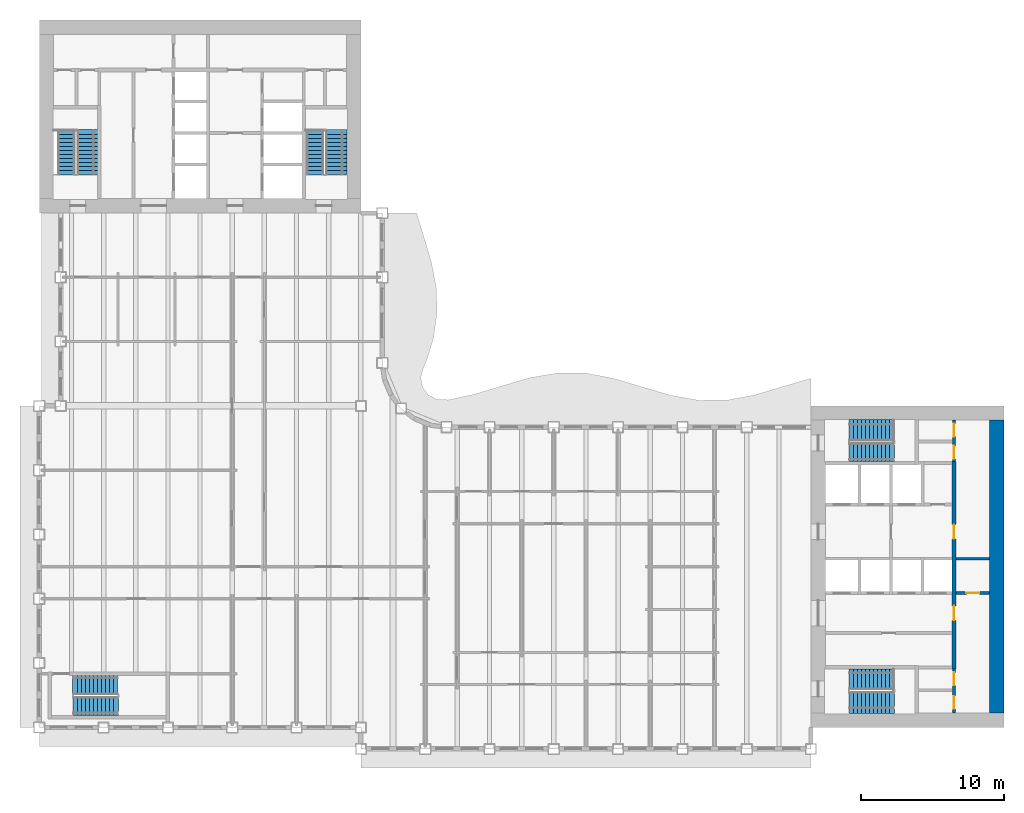
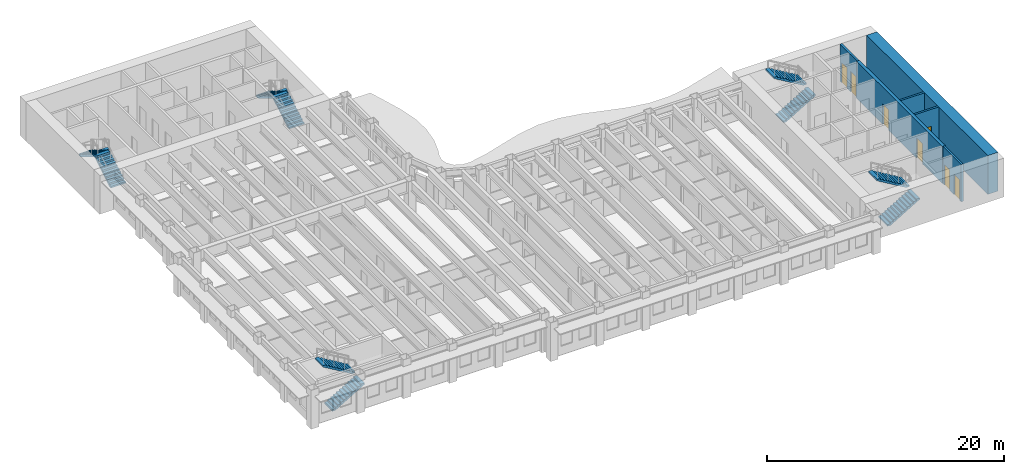
# One storey, part 10 of 16: 10 stair flights, 7 doors, 6 walls, 7 openings, 5 elements without a shape of their own.
"""IFC4 building model written with IfcOpenShell, lengths in metres."""

from ifc_helpers import new_model, si_unit, direction, frame, frame_2d, origin, place, context, subcontext, project, spatial, polyline, rectangle, outline, extrude, material, layer, layer_set, type_object, element, fill, aggregate, save


model = new_model("IFC4")

# Units and contexts
model_context = context("Model", 3, precision=1e-05, world=origin(), true_north=direction((0.0, 1.0)))
body_context = subcontext(model_context, "Body", "Model", "MODEL_VIEW")
ifc_project = project(units=[si_unit("LENGTHUNIT", "METRE"), si_unit("AREAUNIT", "SQUARE_METRE"), si_unit("VOLUMEUNIT", "CUBIC_METRE"), si_unit("PLANEANGLEUNIT", "RADIAN"), si_unit("MASSUNIT", "GRAM", prefix="KILO")], contexts=[model_context])

# Site, building, storey
site_placement = place(None, origin())
site = spatial("IfcSite", under=ifc_project, at=site_placement, CompositionType="ELEMENT")
building_placement = place(site_placement, origin())
building = spatial("IfcBuilding", under=site, at=building_placement, Name="Sennacour Bend Tower", CompositionType="ELEMENT")
storey_placement = place(building_placement, frame((0.0, 0.0, 227.0)))
storey = spatial("IfcBuildingStorey", under=building, at=storey_placement, Name="L52", CompositionType="ELEMENT", Elevation=227.0)

# Wall
ifc_material_1 = material(Name="Concrete C60/75", Category="concrete")
ifc_layer_1 = layer(ifc_material_1, 1.0, Name="Concrete C60/75", Category="concrete")
ifc_layer_set_1 = layer_set([ifc_layer_1], Name="Concrete C60/75")
wall_type_1 = type_object("IfcWallType", Name="Core wall 1000 C60/75", PredefinedType="SHEAR", material=ifc_layer_set_1)
wall_1_placement = place(storey_placement, frame((67.0, 1.0, -0.14990234375), z_axis=(0.0, 0.0, 1.0), x_axis=(0.0, 1.0, 0.0)))
element("IfcWall", 1, at=wall_1_placement, inside=storey, type_object=wall_type_1, Name="Core A wall L52 E", PredefinedType="SHEAR", context=body_context, shape_type="SweptSolid", body=[
    extrude(rectangle(XDim=20.5, YDim=1.0, at=frame_2d((10.25, 0.0))), origin(), (0.0, 0.0, 1.0), 4.0),
])

# Wall, openings, doors
ifc_material_2 = material(Name="Fire-rated plasterboard partition on steel studs", Category="steel")
ifc_layer_2 = layer(ifc_material_2, 0.199951171875, Name="Fire-rated plasterboard partition on steel studs", Category="steel")
ifc_layer_set_2 = layer_set([ifc_layer_2], Name="Fire-rated plasterboard partition on steel studs")
wall_type_2 = type_object("IfcWallType", Name="Rated partition 200", PredefinedType="PARTITIONING", material=ifc_layer_set_2)
wall_2_placement = place(storey_placement, frame((64.0, 1.0, 0.0), z_axis=(0.0, 0.0, 1.0), x_axis=(0.0, 1.0, 0.0)))
wall_2 = element("IfcWall", 2, at=wall_2_placement, inside=storey, type_object=wall_type_2, Name="P-L52-W047", PredefinedType="PARTITIONING", context=body_context, shape_type="SweptSolid", body=[
    extrude(rectangle(XDim=3.10009765625, YDim=0.199951171875, at=frame_2d((1.550048828125, 0.0))), origin(), (0.0, 0.0, 1.0), 3.85009765625),
])
opening_1_placement = place(wall_2_placement, frame((0.300048828125, 0.0, 0.0)))
opening_1 = element("IfcOpeningElement", 3, at=opening_1_placement, cuts=wall_2, Name="Opening SV", PredefinedType="OPENING", context=body_context, shape_type="SweptSolid", body=[
    extrude(rectangle(XDim=0.89990234375, YDim=2.10009765625, at=frame_2d((0.449951171875, 1.050048828125))), frame((0.0, 0.10986328125, 0.0), z_axis=(0.0, -1.0, 0.0), x_axis=(1.0, 0.0, 0.0)), (0.0, 0.0, 1.0), 0.219970703125),
])
opening_2_placement = place(wall_2_placement, frame((1.949951171875, 0.0, 0.0)))
opening_2 = element("IfcOpeningElement", 4, at=opening_2_placement, cuts=wall_2, Name="Opening WD", PredefinedType="OPENING", context=body_context, shape_type="SweptSolid", body=[
    extrude(rectangle(XDim=0.89990234375, YDim=2.10009765625, at=frame_2d((0.449951171875, 1.050048828125))), frame((0.0, 0.10986328125, 0.0), z_axis=(0.0, -1.0, 0.0), x_axis=(1.0, 0.0, 0.0)), (0.0, 0.0, 1.0), 0.219970703125),
])
ifc_material_3 = material(Name="Painted steel", Category="steel")
door_type_1 = type_object("IfcDoorType", Name="DR-SERVICE-900", OperationType="NOTDEFINED", PredefinedType="DOOR", material=ifc_material_3)
door_1_placement = place(opening_1_placement, origin())
door_1 = element("IfcDoor", 5, at=door_1_placement, inside=storey, type_object=door_type_1, Name="Door", OperationType="SINGLE_SWING_LEFT", OverallHeight=2.10009765625, OverallWidth=0.89990234375, PredefinedType="DOOR", context=body_context, shape_type="SweptSolid", body=[
    extrude(rectangle(XDim=0.89990234375, YDim=2.10009765625, at=frame_2d((0.449951171875, 1.050048828125))), frame((0.0, 0.02490234375, 0.0), z_axis=(0.0, -1.0, 0.0), x_axis=(1.0, 0.0, 0.0)), (0.0, 0.0, 1.0), 0.050048828125),
])
fill(opening_1, door_1)
ifc_material_4 = material(Name="Timber", Category="wood")
door_type_2 = type_object("IfcDoorType", Name="DR-WC-900", OperationType="NOTDEFINED", PredefinedType="DOOR", material=ifc_material_4)
door_2_placement = place(opening_2_placement, origin())
door_2 = element("IfcDoor", 6, at=door_2_placement, inside=storey, type_object=door_type_2, Name="Door", OperationType="SINGLE_SWING_RIGHT", OverallHeight=2.10009765625, OverallWidth=0.89990234375, PredefinedType="DOOR", context=body_context, shape_type="SweptSolid", body=[
    extrude(rectangle(XDim=0.89990234375, YDim=2.10009765625, at=frame_2d((0.449951171875, 1.050048828125))), frame((0.0, 0.02490234375, 0.0), z_axis=(0.0, -1.0, 0.0), x_axis=(1.0, 0.0, 0.0)), (0.0, 0.0, 1.0), 0.050048828125),
])
fill(opening_2, door_2)

wall_3_placement = place(storey_placement, frame((64.0, 18.60009765625, 0.0), z_axis=(0.0, 0.0, 1.0), x_axis=(0.0, 1.0, 0.0)))
wall_3 = element("IfcWall", 7, at=wall_3_placement, inside=storey, type_object=wall_type_2, Name="P-L52-W049", PredefinedType="PARTITIONING", context=body_context, shape_type="SweptSolid", body=[
    extrude(rectangle(XDim=2.89990234375, YDim=0.199951171875, at=frame_2d((1.449951171875, 0.0))), origin(), (0.0, 0.0, 1.0), 3.85009765625),
])
opening_3_placement = place(wall_3_placement, frame((0.199951171875, 0.0, 0.0)))
opening_3 = element("IfcOpeningElement", 8, at=opening_3_placement, cuts=wall_3, Name="Opening SV", PredefinedType="OPENING", context=body_context, shape_type="SweptSolid", body=[
    extrude(rectangle(XDim=0.89990234375, YDim=2.10009765625, at=frame_2d((0.449951171875, 1.050048828125))), frame((0.0, 0.10986328125, 0.0), z_axis=(0.0, -1.0, 0.0), x_axis=(1.0, 0.0, 0.0)), (0.0, 0.0, 1.0), 0.219970703125),
])
opening_4_placement = place(wall_3_placement, frame((1.75, 0.0, 0.0)))
opening_4 = element("IfcOpeningElement", 9, at=opening_4_placement, cuts=wall_3, Name="Opening SV", PredefinedType="OPENING", context=body_context, shape_type="SweptSolid", body=[
    extrude(rectangle(XDim=0.89990234375, YDim=2.10009765625, at=frame_2d((0.449951171875, 1.050048828125))), frame((0.0, 0.10986328125, 0.0), z_axis=(0.0, -1.0, 0.0), x_axis=(1.0, 0.0, 0.0)), (0.0, 0.0, 1.0), 0.219970703125),
])
door_3_placement = place(opening_3_placement, origin())
door_3 = element("IfcDoor", 10, at=door_3_placement, inside=storey, type_object=door_type_1, Name="Door", OperationType="SINGLE_SWING_LEFT", OverallHeight=2.10009765625, OverallWidth=0.89990234375, PredefinedType="DOOR", context=body_context, shape_type="SweptSolid", body=[
    extrude(rectangle(XDim=0.89990234375, YDim=2.10009765625, at=frame_2d((0.449951171875, 1.050048828125))), frame((0.0, 0.02490234375, 0.0), z_axis=(0.0, -1.0, 0.0), x_axis=(1.0, 0.0, 0.0)), (0.0, 0.0, 1.0), 0.050048828125),
])
fill(opening_3, door_3)
door_4_placement = place(opening_4_placement, origin())
door_4 = element("IfcDoor", 11, at=door_4_placement, inside=storey, type_object=door_type_1, Name="Door", OperationType="SINGLE_SWING_RIGHT", OverallHeight=2.10009765625, OverallWidth=0.89990234375, PredefinedType="DOOR", context=body_context, shape_type="SweptSolid", body=[
    extrude(rectangle(XDim=0.89990234375, YDim=2.10009765625, at=frame_2d((0.449951171875, 1.050048828125))), frame((0.0, 0.02490234375, 0.0), z_axis=(0.0, -1.0, 0.0), x_axis=(1.0, 0.0, 0.0)), (0.0, 0.0, 1.0), 0.050048828125),
])
fill(opening_4, door_4)

# Wall, opening, door
wall_4_placement = place(storey_placement, frame((64.14990234375, 9.39990234375, 0.0), z_axis=(0.0, 0.0, 1.0), x_axis=(1.0, 0.0, 0.0)))
wall_4 = element("IfcWall", 12, at=wall_4_placement, inside=storey, type_object=wall_type_2, Name="P-L52-W064", PredefinedType="PARTITIONING", context=body_context, shape_type="SweptSolid", body=[
    extrude(rectangle(XDim=2.35009765625, YDim=0.199951171875, at=frame_2d((1.175048828125, 0.0))), origin(), (0.0, 0.0, 1.0), 3.85009765625),
])
opening_5_placement = place(wall_4_placement, frame((0.72509765625, 0.0, 0.0)))
opening_5 = element("IfcOpeningElement", 13, at=opening_5_placement, cuts=wall_4, Name="Opening SV", PredefinedType="OPENING", context=body_context, shape_type="SweptSolid", body=[
    extrude(rectangle(XDim=0.89990234375, YDim=2.10009765625, at=frame_2d((0.449951171875, 1.050048828125))), frame((0.0, 0.10986328125, 0.0), z_axis=(0.0, -1.0, 0.0), x_axis=(1.0, 0.0, 0.0)), (0.0, 0.0, 1.0), 0.219970703125),
])
door_5_placement = place(opening_5_placement, origin())
door_5 = element("IfcDoor", 14, at=door_5_placement, inside=storey, type_object=door_type_1, Name="Door", OperationType="SINGLE_SWING_LEFT", OverallHeight=2.10009765625, OverallWidth=0.89990234375, PredefinedType="DOOR", context=body_context, shape_type="SweptSolid", body=[
    extrude(rectangle(XDim=0.89990234375, YDim=2.10009765625, at=frame_2d((0.449951171875, 1.050048828125))), frame((0.0, 0.02490234375, 0.0), z_axis=(0.0, -1.0, 0.0), x_axis=(1.0, 0.0, 0.0)), (0.0, 0.0, 1.0), 0.050048828125),
])
fill(opening_5, door_5)

# Wall
wall_5_placement = place(storey_placement, frame((64.14990234375, 11.800048828125, 0.0), z_axis=(0.0, 0.0, 1.0), x_axis=(1.0, 0.0, 0.0)))
element("IfcWall", 15, at=wall_5_placement, inside=storey, type_object=wall_type_2, Name="P-L52-W068", PredefinedType="PARTITIONING", context=body_context, shape_type="SweptSolid", body=[
    extrude(rectangle(XDim=2.35009765625, YDim=0.199951171875, at=frame_2d((1.175048828125, 0.0))), origin(), (0.0, 0.0, 1.0), 3.85009765625),
])

# Wall, openings, doors
ifc_layer_3 = layer(ifc_material_1, 0.300048828125, Name="Concrete C60/75", Category="concrete")
ifc_layer_set_3 = layer_set([ifc_layer_3], Name="Concrete C60/75")
wall_type_3 = type_object("IfcWallType", Name="Spine wall 300", PredefinedType="SHEAR", material=ifc_layer_set_3)
wall_6_placement = place(storey_placement, frame((64.0, 4.10009765625, 0.0), z_axis=(0.0, 0.0, 1.0), x_axis=(0.0, 1.0, 0.0)))
wall_6 = element("IfcWall", 16, at=wall_6_placement, inside=storey, type_object=wall_type_3, Name="P-L52-W048", PredefinedType="SHEAR", context=body_context, shape_type="SweptSolid", body=[
    extrude(rectangle(XDim=14.5, YDim=0.300048828125, at=frame_2d((7.25, 0.0))), origin(), (0.0, 0.0, 1.0), 3.85009765625),
])
opening_6_placement = place(wall_6_placement, frame((3.39990234375, 0.0, 0.0)))
opening_6 = element("IfcOpeningElement", 17, at=opening_6_placement, cuts=wall_6, Name="Opening CD2", PredefinedType="OPENING", context=body_context, shape_type="SweptSolid", body=[
    extrude(rectangle(XDim=1.0, YDim=2.10009765625, at=frame_2d((0.5, 1.050048828125))), frame((0.0, 0.16015625, 0.0), z_axis=(0.0, -1.0, 0.0), x_axis=(1.0, 0.0, 0.0)), (0.0, 0.0, 1.0), 0.320068359375),
])
opening_7_placement = place(wall_6_placement, frame((9.099853515625, 0.0, 0.0)))
opening_7 = element("IfcOpeningElement", 18, at=opening_7_placement, cuts=wall_6, Name="Opening CD2", PredefinedType="OPENING", context=body_context, shape_type="SweptSolid", body=[
    extrude(rectangle(XDim=1.0, YDim=2.10009765625, at=frame_2d((0.5, 1.050048828125))), frame((0.0, 0.16015625, 0.0), z_axis=(0.0, -1.0, 0.0), x_axis=(1.0, 0.0, 0.0)), (0.0, 0.0, 1.0), 0.320068359375),
])
door_type_3 = type_object("IfcDoorType", Name="DR-LOBBY-1000", OperationType="NOTDEFINED", PredefinedType="DOOR", material=ifc_material_3)
door_6_placement = place(opening_6_placement, origin())
door_6 = element("IfcDoor", 19, at=door_6_placement, inside=storey, type_object=door_type_3, Name="Door", OperationType="SINGLE_SWING_LEFT", OverallHeight=2.10009765625, OverallWidth=1.0, PredefinedType="DOOR", context=body_context, shape_type="SweptSolid", body=[
    extrude(rectangle(XDim=1.0, YDim=2.10009765625, at=frame_2d((0.5, 1.050048828125))), frame((0.0, 0.02490234375, 0.0), z_axis=(0.0, -1.0, 0.0), x_axis=(1.0, 0.0, 0.0)), (0.0, 0.0, 1.0), 0.050048828125),
])
fill(opening_6, door_6)
door_7_placement = place(opening_7_placement, origin())
door_7 = element("IfcDoor", 20, at=door_7_placement, inside=storey, type_object=door_type_3, Name="Door", OperationType="SINGLE_SWING_RIGHT", OverallHeight=2.10009765625, OverallWidth=1.0, PredefinedType="DOOR", context=body_context, shape_type="SweptSolid", body=[
    extrude(rectangle(XDim=1.0, YDim=2.10009765625, at=frame_2d((0.5, 1.050048828125))), frame((0.0, 0.02490234375, 0.0), z_axis=(0.0, -1.0, 0.0), x_axis=(1.0, 0.0, 0.0)), (0.0, 0.0, 1.0), 0.050048828125),
])
fill(opening_7, door_7)

# Stair, stair flights
ifc_material_5 = material(Name="Concrete C40/50", Category="concrete")
stair_type = type_object("IfcStairType", Name="ST-DOGLEG", PredefinedType="HALF_TURN_STAIR", material=ifc_material_5)
stair_1_placement = place(storey_placement, origin())
stair_1 = element("IfcStair", 21, at=stair_1_placement, inside=storey, type_object=stair_type, Name="L52 Exit stair A1", PredefinedType="HALF_TURN_STAIR")
stair_flight_type = type_object("IfcStairFlightType", Name="SFL-RC", PredefinedType="STRAIGHT", material=ifc_material_5)
stair_flight_1_placement = place(storey_placement, frame((56.699951171875, 1.735107421875, 0.0), z_axis=(0.0, 0.0, 1.0), x_axis=(1.0, 0.0, 0.0)))
stair_flight_1 = element("IfcStairFlight", 22, at=stair_flight_1_placement, type_object=stair_flight_type, Name="SA1 flight 1", NumberOfRisers=12, NumberOfTreads=11, PredefinedType="STRAIGHT", RiserHeight=0.166666667, TreadLength=0.28, context=body_context, shape_type="SweptSolid", body=[
    extrude(outline(polyline([(0.0, 0.0), (0.0, 0.166748046875), (0.280029296875, 0.166748046875), (0.280029296875, 0.333251953125), (0.56005859375, 0.333251953125), (0.56005859375, 0.5), (0.840087890625, 0.5), (0.840087890625, 0.666748046875), (1.1201171875, 0.666748046875), (1.1201171875, 0.833251953125), (1.39990234375, 0.833251953125), (1.39990234375, 1.0), (1.679931640625, 1.0), (1.679931640625, 1.166748046875), (1.9599609375, 1.166748046875), (1.9599609375, 1.333251953125), (2.239990234375, 1.333251953125), (2.239990234375, 1.5), (2.52001953125, 1.5), (2.52001953125, 1.666748046875), (2.800048828125, 1.666748046875), (2.800048828125, 1.833251953125), (3.080078125, 1.833251953125), (3.139892578125, 1.833251953125), (3.139892578125, 1.658935546875), (3.080078125, 1.658935546875), (0.29296875, 0.0), (0.0, 0.0)])), frame((0.0, 0.76513671875, 0.0), z_axis=(0.0, -1.0, 0.0), x_axis=(1.0, 0.0, 0.0)), (0.0, 0.0, 1.0), 1.530029296875),
])
stair_flight_2_placement = place(storey_placement, frame((59.780029296875, 3.37744140625, 2.0), z_axis=(0.0, 0.0, 1.0), x_axis=(-1.0, 0.0, 0.0)))
stair_flight_2 = element("IfcStairFlight", 23, at=stair_flight_2_placement, type_object=stair_flight_type, Name="SA1 flight 2", NumberOfRisers=12, NumberOfTreads=11, PredefinedType="STRAIGHT", RiserHeight=0.166666667, TreadLength=0.28, context=body_context, shape_type="SweptSolid", body=[
    extrude(outline(polyline([(0.0, 0.0), (0.0, 0.166748046875), (0.280029296875, 0.166748046875), (0.280029296875, 0.333251953125), (0.56005859375, 0.333251953125), (0.56005859375, 0.5), (0.840087890625, 0.5), (0.840087890625, 0.666748046875), (1.1201171875, 0.666748046875), (1.1201171875, 0.833251953125), (1.39990234375, 0.833251953125), (1.39990234375, 1.0), (1.679931640625, 1.0), (1.679931640625, 1.166748046875), (1.9599609375, 1.166748046875), (1.9599609375, 1.333251953125), (2.239990234375, 1.333251953125), (2.239990234375, 1.5), (2.52001953125, 1.5), (2.52001953125, 1.666748046875), (2.800048828125, 1.666748046875), (2.800048828125, 1.833251953125), (3.080078125, 1.833251953125), (3.139892578125, 1.833251953125), (3.139892578125, 1.658935546875), (3.080078125, 1.658935546875), (0.29296875, 0.0), (0.0, 0.0)])), frame((0.0, 0.7275390625, 0.0), z_axis=(0.0, -1.0, 0.0), x_axis=(1.0, 0.0, 0.0)), (0.0, 0.0, 1.0), 1.455078125),
])
aggregate(stair_1, [stair_flight_1, stair_flight_2])

stair_2_placement = place(storey_placement, origin())
stair_2 = element("IfcStair", 24, at=stair_2_placement, inside=storey, type_object=stair_type, Name="L52 Exit stair A2", PredefinedType="HALF_TURN_STAIR")
stair_flight_3_placement = place(storey_placement, frame((56.699951171875, 19.24755859375, 0.0), z_axis=(0.0, 0.0, 1.0), x_axis=(1.0, 0.0, 0.0)))
stair_flight_3 = element("IfcStairFlight", 25, at=stair_flight_3_placement, type_object=stair_flight_type, Name="SA2 flight 1", NumberOfRisers=12, NumberOfTreads=11, PredefinedType="STRAIGHT", RiserHeight=0.166666667, TreadLength=0.28, context=body_context, shape_type="SweptSolid", body=[
    extrude(outline(polyline([(0.0, 0.0), (0.0, 0.166748046875), (0.280029296875, 0.166748046875), (0.280029296875, 0.333251953125), (0.56005859375, 0.333251953125), (0.56005859375, 0.5), (0.840087890625, 0.5), (0.840087890625, 0.666748046875), (1.1201171875, 0.666748046875), (1.1201171875, 0.833251953125), (1.39990234375, 0.833251953125), (1.39990234375, 1.0), (1.679931640625, 1.0), (1.679931640625, 1.166748046875), (1.9599609375, 1.166748046875), (1.9599609375, 1.333251953125), (2.239990234375, 1.333251953125), (2.239990234375, 1.5), (2.52001953125, 1.5), (2.52001953125, 1.666748046875), (2.800048828125, 1.666748046875), (2.800048828125, 1.833251953125), (3.080078125, 1.833251953125), (3.139892578125, 1.833251953125), (3.139892578125, 1.658935546875), (3.080078125, 1.658935546875), (0.29296875, 0.0), (0.0, 0.0)])), frame((0.0, 0.65234375, 0.0), z_axis=(0.0, -1.0, 0.0), x_axis=(1.0, 0.0, 0.0)), (0.0, 0.0, 1.0), 1.304931640625),
])
stair_flight_4_placement = place(storey_placement, frame((59.780029296875, 20.7900390625, 2.0), z_axis=(0.0, 0.0, 1.0), x_axis=(-1.0, 0.0, 0.0)))
stair_flight_4 = element("IfcStairFlight", 26, at=stair_flight_4_placement, type_object=stair_flight_type, Name="SA2 flight 2", NumberOfRisers=12, NumberOfTreads=11, PredefinedType="STRAIGHT", RiserHeight=0.166666667, TreadLength=0.28, context=body_context, shape_type="SweptSolid", body=[
    extrude(outline(polyline([(0.0, 0.0), (0.0, 0.166748046875), (0.280029296875, 0.166748046875), (0.280029296875, 0.333251953125), (0.56005859375, 0.333251953125), (0.56005859375, 0.5), (0.840087890625, 0.5), (0.840087890625, 0.666748046875), (1.1201171875, 0.666748046875), (1.1201171875, 0.833251953125), (1.39990234375, 0.833251953125), (1.39990234375, 1.0), (1.679931640625, 1.0), (1.679931640625, 1.166748046875), (1.9599609375, 1.166748046875), (1.9599609375, 1.333251953125), (2.239990234375, 1.333251953125), (2.239990234375, 1.5), (2.52001953125, 1.5), (2.52001953125, 1.666748046875), (2.800048828125, 1.666748046875), (2.800048828125, 1.833251953125), (3.080078125, 1.833251953125), (3.139892578125, 1.833251953125), (3.139892578125, 1.658935546875), (3.080078125, 1.658935546875), (0.29296875, 0.0), (0.0, 0.0)])), frame((0.0, 0.739990234375, 0.0), z_axis=(0.0, -1.0, 0.0), x_axis=(1.0, 0.0, 0.0)), (0.0, 0.0, 1.0), 1.47998046875),
])
aggregate(stair_2, [stair_flight_3, stair_flight_4])

stair_3_placement = place(storey_placement, origin())
stair_3 = element("IfcStair", 27, at=stair_3_placement, inside=storey, type_object=stair_type, Name="L52 Exit stair B1", PredefinedType="HALF_TURN_STAIR")
stair_flight_5_placement = place(storey_placement, frame((3.37744140625, 38.699951171875, 0.0), z_axis=(0.0, 0.0, 1.0), x_axis=(0.0, 1.0, 0.0)))
stair_flight_5 = element("IfcStairFlight", 28, at=stair_flight_5_placement, type_object=stair_flight_type, Name="SB1 flight 1", NumberOfRisers=12, NumberOfTreads=11, PredefinedType="STRAIGHT", RiserHeight=0.166666667, TreadLength=0.28, context=body_context, shape_type="SweptSolid", body=[
    extrude(outline(polyline([(0.0, 0.0), (0.0, 0.166748046875), (0.280029296875, 0.166748046875), (0.280029296875, 0.333251953125), (0.56005859375, 0.333251953125), (0.56005859375, 0.5), (0.840087890625, 0.5), (0.840087890625, 0.666748046875), (1.1201171875, 0.666748046875), (1.1201171875, 0.833251953125), (1.39990234375, 0.833251953125), (1.39990234375, 1.0), (1.679931640625, 1.0), (1.679931640625, 1.166748046875), (1.9599609375, 1.166748046875), (1.9599609375, 1.333251953125), (2.239990234375, 1.333251953125), (2.239990234375, 1.5), (2.52001953125, 1.5), (2.52001953125, 1.666748046875), (2.800048828125, 1.666748046875), (2.800048828125, 1.833251953125), (3.080078125, 1.833251953125), (3.139892578125, 1.833251953125), (3.139892578125, 1.658935546875), (3.080078125, 1.658935546875), (0.29296875, 0.0), (0.0, 0.0)])), frame((0.0, 0.7275390625, 0.0), z_axis=(0.0, -1.0, 0.0), x_axis=(1.0, 0.0, 0.0)), (0.0, 0.0, 1.0), 1.455078125),
])
stair_flight_6_placement = place(storey_placement, frame((1.89990234375, 41.780029296875, 2.0), z_axis=(0.0, 0.0, 1.0), x_axis=(0.0, -1.0, 0.0)))
stair_flight_6 = element("IfcStairFlight", 29, at=stair_flight_6_placement, type_object=stair_flight_type, Name="SB1 flight 2", NumberOfRisers=12, NumberOfTreads=11, PredefinedType="STRAIGHT", RiserHeight=0.166666667, TreadLength=0.28, context=body_context, shape_type="SweptSolid", body=[
    extrude(outline(polyline([(0.0, 0.0), (0.0, 0.166748046875), (0.280029296875, 0.166748046875), (0.280029296875, 0.333251953125), (0.56005859375, 0.333251953125), (0.56005859375, 0.5), (0.840087890625, 0.5), (0.840087890625, 0.666748046875), (1.1201171875, 0.666748046875), (1.1201171875, 0.833251953125), (1.39990234375, 0.833251953125), (1.39990234375, 1.0), (1.679931640625, 1.0), (1.679931640625, 1.166748046875), (1.9599609375, 1.166748046875), (1.9599609375, 1.333251953125), (2.239990234375, 1.333251953125), (2.239990234375, 1.5), (2.52001953125, 1.5), (2.52001953125, 1.666748046875), (2.800048828125, 1.666748046875), (2.800048828125, 1.833251953125), (3.080078125, 1.833251953125), (3.139892578125, 1.833251953125), (3.139892578125, 1.658935546875), (3.080078125, 1.658935546875), (0.29296875, 0.0), (0.0, 0.0)])), frame((0.0, 0.60009765625, 0.0), z_axis=(0.0, -1.0, 0.0), x_axis=(1.0, 0.0, 0.0)), (0.0, 0.0, 1.0), 1.199951171875),
])
aggregate(stair_3, [stair_flight_5, stair_flight_6])

stair_4_placement = place(storey_placement, origin())
stair_4 = element("IfcStair", 30, at=stair_4_placement, inside=storey, type_object=stair_type, Name="L52 Exit stair B2", PredefinedType="HALF_TURN_STAIR")
stair_flight_7_placement = place(storey_placement, frame((20.7900390625, 38.699951171875, 0.0), z_axis=(0.0, 0.0, 1.0), x_axis=(0.0, 1.0, 0.0)))
stair_flight_7 = element("IfcStairFlight", 31, at=stair_flight_7_placement, type_object=stair_flight_type, Name="SB2 flight 1", NumberOfRisers=12, NumberOfTreads=11, PredefinedType="STRAIGHT", RiserHeight=0.166666667, TreadLength=0.28, context=body_context, shape_type="SweptSolid", body=[
    extrude(outline(polyline([(0.0, 0.0), (0.0, 0.166748046875), (0.280029296875, 0.166748046875), (0.280029296875, 0.333251953125), (0.56005859375, 0.333251953125), (0.56005859375, 0.5), (0.840087890625, 0.5), (0.840087890625, 0.666748046875), (1.1201171875, 0.666748046875), (1.1201171875, 0.833251953125), (1.39990234375, 0.833251953125), (1.39990234375, 1.0), (1.679931640625, 1.0), (1.679931640625, 1.166748046875), (1.9599609375, 1.166748046875), (1.9599609375, 1.333251953125), (2.239990234375, 1.333251953125), (2.239990234375, 1.5), (2.52001953125, 1.5), (2.52001953125, 1.666748046875), (2.800048828125, 1.666748046875), (2.800048828125, 1.833251953125), (3.080078125, 1.833251953125), (3.139892578125, 1.833251953125), (3.139892578125, 1.658935546875), (3.080078125, 1.658935546875), (0.29296875, 0.0), (0.0, 0.0)])), frame((0.0, 0.739990234375, 0.0), z_axis=(0.0, -1.0, 0.0), x_axis=(1.0, 0.0, 0.0)), (0.0, 0.0, 1.0), 1.47998046875),
])
stair_flight_8_placement = place(storey_placement, frame((19.24755859375, 41.780029296875, 2.0), z_axis=(0.0, 0.0, 1.0), x_axis=(0.0, -1.0, 0.0)))
stair_flight_8 = element("IfcStairFlight", 32, at=stair_flight_8_placement, type_object=stair_flight_type, Name="SB2 flight 2", NumberOfRisers=12, NumberOfTreads=11, PredefinedType="STRAIGHT", RiserHeight=0.166666667, TreadLength=0.28, context=body_context, shape_type="SweptSolid", body=[
    extrude(outline(polyline([(0.0, 0.0), (0.0, 0.166748046875), (0.280029296875, 0.166748046875), (0.280029296875, 0.333251953125), (0.56005859375, 0.333251953125), (0.56005859375, 0.5), (0.840087890625, 0.5), (0.840087890625, 0.666748046875), (1.1201171875, 0.666748046875), (1.1201171875, 0.833251953125), (1.39990234375, 0.833251953125), (1.39990234375, 1.0), (1.679931640625, 1.0), (1.679931640625, 1.166748046875), (1.9599609375, 1.166748046875), (1.9599609375, 1.333251953125), (2.239990234375, 1.333251953125), (2.239990234375, 1.5), (2.52001953125, 1.5), (2.52001953125, 1.666748046875), (2.800048828125, 1.666748046875), (2.800048828125, 1.833251953125), (3.080078125, 1.833251953125), (3.139892578125, 1.833251953125), (3.139892578125, 1.658935546875), (3.080078125, 1.658935546875), (0.29296875, 0.0), (0.0, 0.0)])), frame((0.0, 0.65234375, 0.0), z_axis=(0.0, -1.0, 0.0), x_axis=(1.0, 0.0, 0.0)), (0.0, 0.0, 1.0), 1.304931640625),
])
aggregate(stair_4, [stair_flight_7, stair_flight_8])

stair_5_placement = place(storey_placement, origin())
stair_5 = element("IfcStair", 33, at=stair_5_placement, inside=storey, type_object=stair_type, Name="L52 Exit stair K1", PredefinedType="HALF_TURN_STAIR")
stair_flight_9_placement = place(storey_placement, frame((2.39990234375, 1.485107421875, 0.0), z_axis=(0.0, 0.0, 1.0), x_axis=(1.0, 0.0, 0.0)))
stair_flight_9 = element("IfcStairFlight", 34, at=stair_flight_9_placement, type_object=stair_flight_type, Name="SK1 flight 1", NumberOfRisers=12, NumberOfTreads=11, PredefinedType="STRAIGHT", RiserHeight=0.166666667, TreadLength=0.28, context=body_context, shape_type="SweptSolid", body=[
    extrude(outline(polyline([(0.0, 0.0), (0.0, 0.166748046875), (0.280029296875, 0.166748046875), (0.280029296875, 0.333251953125), (0.56005859375, 0.333251953125), (0.56005859375, 0.5), (0.840087890625, 0.5), (0.840087890625, 0.666748046875), (1.1201171875, 0.666748046875), (1.1201171875, 0.833251953125), (1.39990234375, 0.833251953125), (1.39990234375, 1.0), (1.679931640625, 1.0), (1.679931640625, 1.166748046875), (1.9599609375, 1.166748046875), (1.9599609375, 1.333251953125), (2.239990234375, 1.333251953125), (2.239990234375, 1.5), (2.52001953125, 1.5), (2.52001953125, 1.666748046875), (2.800048828125, 1.666748046875), (2.800048828125, 1.833251953125), (3.080078125, 1.833251953125), (3.139892578125, 1.833251953125), (3.139892578125, 1.658935546875), (3.080078125, 1.658935546875), (0.29296875, 0.0), (0.0, 0.0)])), frame((0.0, 0.6650390625, 0.0), z_axis=(0.0, -1.0, 0.0), x_axis=(1.0, 0.0, 0.0)), (0.0, 0.0, 1.0), 1.330078125),
])
stair_flight_10_placement = place(storey_placement, frame((5.47998046875, 2.9775390625, 2.0), z_axis=(0.0, 0.0, 1.0), x_axis=(-1.0, 0.0, 0.0)))
stair_flight_10 = element("IfcStairFlight", 35, at=stair_flight_10_placement, type_object=stair_flight_type, Name="SK1 flight 2", NumberOfRisers=12, NumberOfTreads=11, PredefinedType="STRAIGHT", RiserHeight=0.166666667, TreadLength=0.28, context=body_context, shape_type="SweptSolid", body=[
    extrude(outline(polyline([(0.0, 0.0), (0.0, 0.166748046875), (0.280029296875, 0.166748046875), (0.280029296875, 0.333251953125), (0.56005859375, 0.333251953125), (0.56005859375, 0.5), (0.840087890625, 0.5), (0.840087890625, 0.666748046875), (1.1201171875, 0.666748046875), (1.1201171875, 0.833251953125), (1.39990234375, 0.833251953125), (1.39990234375, 1.0), (1.679931640625, 1.0), (1.679931640625, 1.166748046875), (1.9599609375, 1.166748046875), (1.9599609375, 1.333251953125), (2.239990234375, 1.333251953125), (2.239990234375, 1.5), (2.52001953125, 1.5), (2.52001953125, 1.666748046875), (2.800048828125, 1.666748046875), (2.800048828125, 1.833251953125), (3.080078125, 1.833251953125), (3.139892578125, 1.833251953125), (3.139892578125, 1.658935546875), (3.080078125, 1.658935546875), (0.29296875, 0.0), (0.0, 0.0)])), frame((0.0, 0.677490234375, 0.0), z_axis=(0.0, -1.0, 0.0), x_axis=(1.0, 0.0, 0.0)), (0.0, 0.0, 1.0), 1.35498046875),
])
aggregate(stair_5, [stair_flight_9, stair_flight_10])

save(model, "model.ifc")
